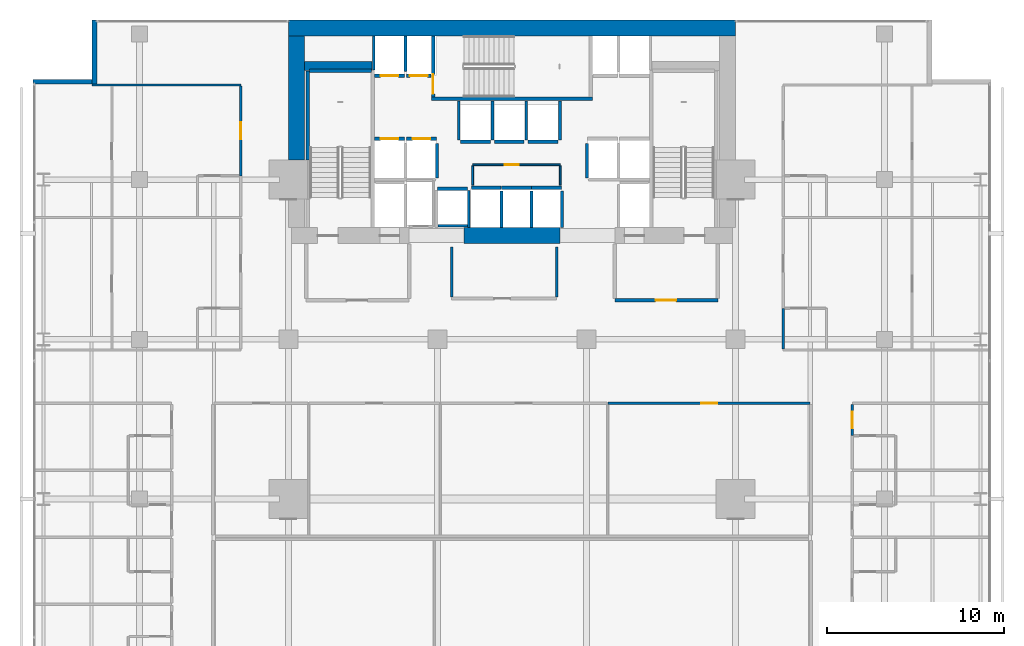
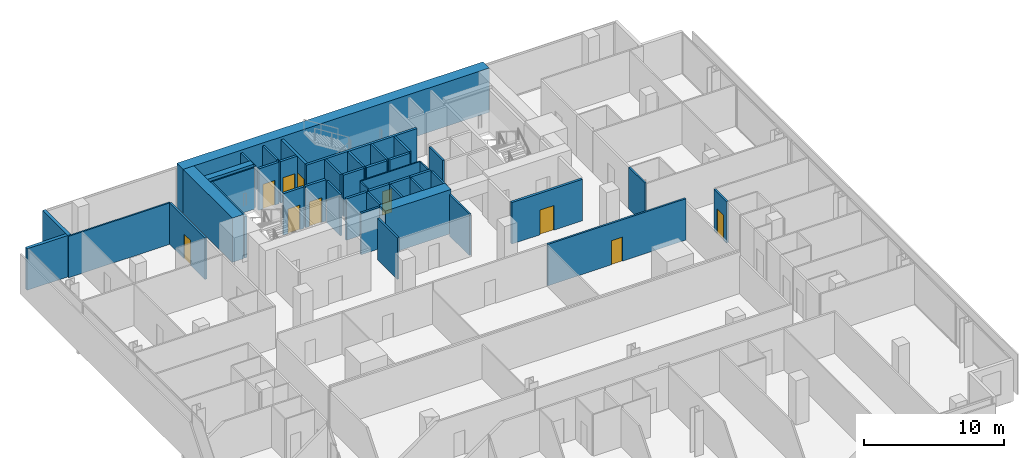
# One storey, part 36 of 40: 45 walls, 10 doors, 10 openings.
"""IFC4 building model written with IfcOpenShell, lengths in metres."""

from ifc_helpers import new_model, si_unit, direction, frame, frame_2d, origin, place, context, subcontext, project, spatial, rectangle, extrude, material, layer, layer_set, type_object, element, fill, save


model = new_model("IFC4")

# Units and contexts
model_context = context("Model", 3, precision=1e-05, world=origin(), true_north=direction((0.0, 1.0)))
body_context = subcontext(model_context, "Body", "Model", "MODEL_VIEW")
ifc_project = project(units=[si_unit("LENGTHUNIT", "METRE"), si_unit("AREAUNIT", "SQUARE_METRE"), si_unit("VOLUMEUNIT", "CUBIC_METRE"), si_unit("PLANEANGLEUNIT", "RADIAN"), si_unit("MASSUNIT", "GRAM", prefix="KILO")], contexts=[model_context])

# Site, building, storey
site_placement = place(None, origin())
site = spatial("IfcSite", under=ifc_project, at=site_placement, CompositionType="ELEMENT")
building_placement = place(site_placement, origin())
building = spatial("IfcBuilding", under=site, at=building_placement, Name="Maruvema Waterfront Hotel and Observation Tower", CompositionType="ELEMENT")
storey_placement = place(building_placement, frame((0.0, 0.0, 100.10009765625)))
storey = spatial("IfcBuildingStorey", under=building, at=storey_placement, Name="L24", CompositionType="ELEMENT", Elevation=100.10009765625)

# Walls
ifc_material_1 = material(Name="Twin-stud acoustic gypsum drywall", Category="gypsum")
ifc_layer_1 = layer(ifc_material_1, 0.14990234375, Name="Acoustic Corridor and Suite Demising Wall 150 mm")
ifc_layer_set_1 = layer_set([ifc_layer_1], Name="Twin-stud acoustic gypsum drywall")
wall_type_1 = type_object("IfcWallType", Name="Acoustic Corridor and Suite Demising Wall 150 mm", PredefinedType="PARTITIONING", material=ifc_layer_set_1)
for number, where, z_axis, x_axis, name in (
    (1, (34.39990234375, 38.3798828125, 0.0), (0.0, 0.0, 1.0), (0.0, 1.0, 0.0), "L24 Core Apron K0 West 014"),
    (2, (40.320068359375, 38.3798828125, 0.0), (0.0, 0.0, 1.0), (0.0, 1.0, 0.0), "L24 Core Apron K0 East 015"),
):
    element("IfcWall", number, at=place(storey_placement, frame(where, z_axis=z_axis, x_axis=x_axis)), inside=storey, type_object=wall_type_1, Name=name, PredefinedType="PARTITIONING", context=body_context, shape_type="SweptSolid", body=[
        extrude(rectangle(XDim=2.840087890625, YDim=0.14990234375, at=frame_2d((1.419921875, 0.0))), origin(), (0.0, 0.0, 1.0), 3.60986328125),
    ])

# Wall, opening, door
wall_1_placement = place(storey_placement, frame((43.221923828125, 32.39990234375, 0.0), z_axis=(0.0, 0.0, 1.0), x_axis=(1.0, 0.0, 0.0)))
wall_1 = element("IfcWall", 3, at=wall_1_placement, inside=storey, type_object=wall_type_1, Name="L24 L24-INTN Front 4 025", PredefinedType="PARTITIONING", context=body_context, shape_type="SweptSolid", body=[
    extrude(rectangle(XDim=11.3681640625, YDim=0.14990234375, at=frame_2d((5.68408203125, 0.0))), origin(), (0.0, 0.0, 1.0), 3.60986328125),
])
opening_1_placement = place(wall_1_placement, frame((5.23388671875, 0.0, 0.0)))
opening_1 = element("IfcOpeningElement", 4, at=opening_1_placement, cuts=wall_1, Name="Opening DR-090", PredefinedType="OPENING", context=body_context, shape_type="SweptSolid", body=[
    extrude(rectangle(XDim=0.89990234375, YDim=2.10009765625, at=frame_2d((0.449951171875, 1.050048828125))), frame((0.0, 0.0849609375, 0.0), z_axis=(0.0, -1.0, 0.0), x_axis=(1.0, 0.0, 0.0)), (0.0, 0.0, 1.0), 0.169921875),
])
ifc_material_2 = material(Name="Solid-core lacquered timber leaf", Category="wood")
door_type_1 = type_object("IfcDoorType", Name="Accessible Toilet and Room Door 900x2100 mm", OperationType="NOTDEFINED", PredefinedType="DOOR", material=ifc_material_2)
door_1_placement = place(opening_1_placement, origin())
door_1 = element("IfcDoor", 5, at=door_1_placement, inside=storey, type_object=door_type_1, Name="L24 Chef Pantry Kitchen 3 Door", OperationType="SINGLE_SWING_LEFT", OverallHeight=2.10009765625, OverallWidth=0.89990234375, PredefinedType="DOOR", context=body_context, shape_type="SweptSolid", body=[
    extrude(rectangle(XDim=0.89990234375, YDim=2.10009765625, at=frame_2d((0.449951171875, 1.050048828125))), frame((0.0, 0.02490234375, 0.0), z_axis=(0.0, -1.0, 0.0), x_axis=(1.0, 0.0, 0.0)), (0.0, 0.0, 1.0), 0.050048828125),
])
fill(opening_1, door_1)

wall_2_placement = place(storey_placement, frame((56.97998046875, 30.570068359375, 0.0), z_axis=(0.0, 0.0, 1.0), x_axis=(0.0, 1.0, 0.0)))
wall_2 = element("IfcWall", 6, at=wall_2_placement, inside=storey, type_object=wall_type_1, Name="L24 Room L24-E4 Corridor Wall 100", PredefinedType="PARTITIONING", context=body_context, shape_type="SweptSolid", body=[
    extrude(rectangle(XDim=1.77001953125, YDim=0.14990234375, at=frame_2d((0.885009765625, 0.0))), origin(), (0.0, 0.0, 1.0), 3.60986328125),
])
opening_2_placement = place(wall_2_placement, frame((0.409912109375, 0.0, 0.0)))
opening_2 = element("IfcOpeningElement", 7, at=opening_2_placement, cuts=wall_2, Name="Opening DR-095", PredefinedType="OPENING", context=body_context, shape_type="SweptSolid", body=[
    extrude(rectangle(XDim=0.949951171875, YDim=2.14990234375, at=frame_2d((0.47509765625, 1.074951171875))), frame((0.0, 0.0849609375, 0.0), z_axis=(0.0, -1.0, 0.0), x_axis=(1.0, 0.0, 0.0)), (0.0, 0.0, 1.0), 0.169921875),
])
ifc_material_3 = material(Name="Acoustic solid-core hardwood timber leaf", Category="wood")
door_type_2 = type_object("IfcDoorType", Name="Guestroom Entrance Fire Door 950x2150 mm", OperationType="NOTDEFINED", PredefinedType="DOOR", material=ifc_material_3)
door_2_placement = place(opening_2_placement, frame((0.949951171875, 0.0, 0.0), z_axis=(0.0, 0.0, 1.0), x_axis=(-1.0, 0.0, 0.0)))
door_2 = element("IfcDoor", 8, at=door_2_placement, inside=storey, type_object=door_type_2, Name="L24 Room L24-E4 Entrance Door", OperationType="SINGLE_SWING_LEFT", OverallHeight=2.14990234375, OverallWidth=0.949951171875, PredefinedType="DOOR", context=body_context, shape_type="SweptSolid", body=[
    extrude(rectangle(XDim=0.949951171875, YDim=2.14990234375, at=frame_2d((0.47509765625, 1.074951171875))), frame((0.0, 0.02490234375, 0.0), z_axis=(0.0, -1.0, 0.0), x_axis=(1.0, 0.0, 0.0)), (0.0, 0.0, 1.0), 0.050048828125),
])
fill(opening_2, door_2)

# Wall
wall_3_placement = place(storey_placement, frame((53.080078125, 35.4599609375, 0.0), z_axis=(0.0, 0.0, 1.0), x_axis=(0.0, 1.0, 0.0)))
element("IfcWall", 9, at=wall_3_placement, inside=storey, type_object=wall_type_1, Name="L24 Bath L24-NE1 Wall 112", PredefinedType="PARTITIONING", context=body_context, shape_type="SweptSolid", body=[
    extrude(rectangle(XDim=2.2900390625, YDim=0.14990234375, at=frame_2d((1.14501953125, 0.0))), origin(), (0.0, 0.0, 1.0), 3.60986328125),
])

# Wall, opening, door
wall_4_placement = place(storey_placement, frame((22.52001953125, 45.21875, 0.0), z_axis=(0.0, 0.0, 1.0), x_axis=(0.0, 1.0, 0.0)))
wall_4 = element("IfcWall", 10, at=wall_4_placement, inside=storey, type_object=wall_type_1, Name="L24 Room L24-NW2 Corridor Wall 120", PredefinedType="PARTITIONING", context=body_context, shape_type="SweptSolid", body=[
    extrude(rectangle(XDim=5.058837890625, YDim=0.14990234375, at=frame_2d((2.529296875, 0.0))), origin(), (0.0, 0.0, 1.0), 3.60986328125),
])
opening_3_placement = place(wall_4_placement, frame((2.054443359375, 0.0, 0.0)))
opening_3 = element("IfcOpeningElement", 11, at=opening_3_placement, cuts=wall_4, Name="Opening DR-095", PredefinedType="OPENING", context=body_context, shape_type="SweptSolid", body=[
    extrude(rectangle(XDim=0.949951171875, YDim=2.14990234375, at=frame_2d((0.47509765625, 1.074951171875))), frame((0.0, 0.0849609375, 0.0), z_axis=(0.0, -1.0, 0.0), x_axis=(1.0, 0.0, 0.0)), (0.0, 0.0, 1.0), 0.169921875),
])
door_3_placement = place(opening_3_placement, origin())
door_3 = element("IfcDoor", 12, at=door_3_placement, inside=storey, type_object=door_type_2, Name="L24 Room L24-NW2 Entrance Door", OperationType="SINGLE_SWING_LEFT", OverallHeight=2.14990234375, OverallWidth=0.949951171875, PredefinedType="DOOR", context=body_context, shape_type="SweptSolid", body=[
    extrude(rectangle(XDim=0.949951171875, YDim=2.14990234375, at=frame_2d((0.47509765625, 1.074951171875))), frame((0.0, 0.02490234375, 0.0), z_axis=(0.0, -1.0, 0.0), x_axis=(1.0, 0.0, 0.0)), (0.0, 0.0, 1.0), 0.050048828125),
])
fill(opening_3, door_3)

# Walls
ifc_material_4 = material(Name="Precast concrete C45/55", Category="concrete")
ifc_layer_2 = layer(ifc_material_4, 0.199951171875, Name="Core Shaft and Stairwell Enclosure Wall 200 mm")
ifc_layer_set_2 = layer_set([ifc_layer_2], Name="Precast concrete C45/55")
wall_type_2 = type_object("IfcWallType", Name="Core Shaft and Stairwell Enclosure Wall 200 mm", PredefinedType="SOLIDWALL", material=ifc_layer_set_2)
wall_5_placement = place(storey_placement, frame((26.300048828125, 46.1201171875, 0.0), z_axis=(0.0, 0.0, 1.0), x_axis=(0.0, 1.0, 0.0)))
element("IfcWall", 13, at=wall_5_placement, inside=storey, type_object=wall_type_2, Name="L24 Stairwell ST-01 Shaft Lining Wall", PredefinedType="SOLIDWALL", context=body_context, shape_type="SweptSolid", body=[
    extrude(rectangle(XDim=5.0, YDim=0.199951171875, at=frame_2d((2.5, 0.0))), origin(), (0.0, 0.0, 1.0), 3.60986328125),
])
wall_6_placement = place(storey_placement, frame((26.3798828125, 51.14990234375, 0.0), z_axis=(0.0, 0.0, 1.0), x_axis=(1.0, 0.0, 0.0)))
element("IfcWall", 14, at=wall_6_placement, inside=storey, type_object=wall_type_2, Name="L24 Stairwell ST-01 Shaft Lining Wall", PredefinedType="SOLIDWALL", context=body_context, shape_type="SweptSolid", body=[
    extrude(rectangle(XDim=3.5, YDim=0.199951171875, at=frame_2d((1.75, 0.0))), origin(), (0.0, 0.0, 1.0), 3.60986328125),
])
wall_7_placement = place(storey_placement, frame((33.25, 49.550048828125, 0.0), z_axis=(0.0, 0.0, 1.0), x_axis=(1.0, 0.0, 0.0)))
element("IfcWall", 15, at=wall_7_placement, inside=storey, type_object=wall_type_2, Name="L24 Stairwell ST-02 Shaft Wall", PredefinedType="SOLIDWALL", context=body_context, shape_type="SweptSolid", body=[
    extrude(rectangle(XDim=9.10009765625, YDim=0.199951171875, at=frame_2d((4.550048828125, 0.0))), origin(), (0.0, 0.0, 1.0), 3.60986328125),
])

# Wall, opening, door
wall_8_placement = place(storey_placement, frame((33.35009765625, 49.64990234375, 0.0), z_axis=(0.0, 0.0, 1.0), x_axis=(0.0, 1.0, 0.0)))
wall_8 = element("IfcWall", 16, at=wall_8_placement, inside=storey, type_object=wall_type_2, Name="L24 Stairwell ST-02 Shaft Wall", PredefinedType="SOLIDWALL", context=body_context, shape_type="SweptSolid", body=[
    extrude(rectangle(XDim=3.4501953125, YDim=0.199951171875, at=frame_2d((1.72509765625, 0.0))), origin(), (0.0, 0.0, 1.0), 3.60986328125),
])
opening_4_placement = place(wall_8_placement, frame((0.179931640625, 0.0, 0.0)))
opening_4 = element("IfcOpeningElement", 17, at=opening_4_placement, cuts=wall_8, Name="Opening SD-02", PredefinedType="OPENING", context=body_context, shape_type="SweptSolid", body=[
    extrude(rectangle(XDim=1.10009765625, YDim=2.14990234375, at=frame_2d((0.550048828125, 1.074951171875))), frame((0.0, 0.10986328125, 0.0), z_axis=(0.0, -1.0, 0.0), x_axis=(1.0, 0.0, 0.0)), (0.0, 0.0, 1.0), 0.219970703125),
])
ifc_material_5 = material(Name="Fire-rated galvanised steel leaf", Category="steel")
door_type_3 = type_object("IfcDoorType", Name="Central Exit Stair Fire Door 1100x2150 mm", OperationType="NOTDEFINED", PredefinedType="DOOR", material=ifc_material_5)
door_4_placement = place(opening_4_placement, frame((1.10009765625, 0.0, 0.0), z_axis=(0.0, 0.0, 1.0), x_axis=(-1.0, 0.0, 0.0)))
door_4 = element("IfcDoor", 18, at=door_4_placement, inside=storey, type_object=door_type_3, Name="L24 Exit Stair ST-02 Fire Door", OperationType="SINGLE_SWING_LEFT", OverallHeight=2.14990234375, OverallWidth=1.10009765625, PredefinedType="DOOR", context=body_context, shape_type="SweptSolid", body=[
    extrude(rectangle(XDim=1.10009765625, YDim=2.14990234375, at=frame_2d((0.550048828125, 1.074951171875))), frame((0.0, 0.02490234375, 0.0), z_axis=(0.0, -1.0, 0.0), x_axis=(1.0, 0.0, 0.0)), (0.0, 0.0, 1.0), 0.050048828125),
])
fill(opening_4, door_4)

wall_9_placement = place(storey_placement, frame((30.06005859375, 47.300048828125, 0.0), z_axis=(0.0, 0.0, 1.0), x_axis=(1.0, 0.0, 0.0)))
wall_9 = element("IfcWall", 19, at=wall_9_placement, inside=storey, type_object=wall_type_2, Name="L24 Lift LF-01 Hoistway Front Wall", PredefinedType="SOLIDWALL", context=body_context, shape_type="SweptSolid", body=[
    extrude(rectangle(XDim=1.679931640625, YDim=0.199951171875, at=frame_2d((0.83984375, 0.0))), origin(), (0.0, 0.0, 1.0), 3.60986328125),
])
opening_5_placement = place(wall_9_placement, frame((0.340087890625, 0.0, 0.0)))
opening_5 = element("IfcOpeningElement", 20, at=opening_5_placement, cuts=wall_9, Name="Opening LD-01", PredefinedType="OPENING", context=body_context, shape_type="SweptSolid", body=[
    extrude(rectangle(XDim=1.0, YDim=2.14990234375, at=frame_2d((0.5, 1.074951171875))), frame((0.0, 0.10986328125, 0.0), z_axis=(0.0, -1.0, 0.0), x_axis=(1.0, 0.0, 0.0)), (0.0, 0.0, 1.0), 0.219970703125),
])
ifc_material_6 = material(Name="Brushed stainless steel Grade 316", Category="steel")
door_type_4 = type_object("IfcDoorType", Name="Passenger Lift Sliding Landing Door 1000x2150 mm", OperationType="SLIDING_TO_LEFT", PredefinedType="DOOR", material=ifc_material_6)
door_5_placement = place(opening_5_placement, origin())
door_5 = element("IfcDoor", 21, at=door_5_placement, inside=storey, type_object=door_type_4, Name="L24 Lift LF-01 Sliding Landing Door", OperationType="SLIDING_TO_LEFT", OverallHeight=2.14990234375, OverallWidth=1.0, PredefinedType="DOOR", context=body_context, shape_type="SweptSolid", body=[
    extrude(rectangle(XDim=1.0, YDim=2.14990234375, at=frame_2d((0.5, 1.074951171875))), frame((0.0, 0.02490234375, 0.0), z_axis=(0.0, -1.0, 0.0), x_axis=(1.0, 0.0, 0.0)), (0.0, 0.0, 1.0), 0.050048828125),
])
fill(opening_5, door_5)

wall_10_placement = place(storey_placement, frame((31.860107421875, 47.300048828125, 0.0), z_axis=(0.0, 0.0, 1.0), x_axis=(1.0, 0.0, 0.0)))
wall_10 = element("IfcWall", 22, at=wall_10_placement, inside=storey, type_object=wall_type_2, Name="L24 Lift LF-02 Hoistway Front Wall", PredefinedType="SOLIDWALL", context=body_context, shape_type="SweptSolid", body=[
    extrude(rectangle(XDim=1.679931640625, YDim=0.199951171875, at=frame_2d((0.83984375, 0.0))), origin(), (0.0, 0.0, 1.0), 3.60986328125),
])
opening_6_placement = place(wall_10_placement, frame((0.340087890625, 0.0, 0.0)))
opening_6 = element("IfcOpeningElement", 23, at=opening_6_placement, cuts=wall_10, Name="Opening LD-01", PredefinedType="OPENING", context=body_context, shape_type="SweptSolid", body=[
    extrude(rectangle(XDim=1.0, YDim=2.14990234375, at=frame_2d((0.5, 1.074951171875))), frame((0.0, 0.10986328125, 0.0), z_axis=(0.0, -1.0, 0.0), x_axis=(1.0, 0.0, 0.0)), (0.0, 0.0, 1.0), 0.219970703125),
])
door_6_placement = place(opening_6_placement, origin())
door_6 = element("IfcDoor", 24, at=door_6_placement, inside=storey, type_object=door_type_4, Name="L24 Lift LF-02 Sliding Landing Door", OperationType="SLIDING_TO_LEFT", OverallHeight=2.14990234375, OverallWidth=1.0, PredefinedType="DOOR", context=body_context, shape_type="SweptSolid", body=[
    extrude(rectangle(XDim=1.0, YDim=2.14990234375, at=frame_2d((0.5, 1.074951171875))), frame((0.0, 0.02490234375, 0.0), z_axis=(0.0, -1.0, 0.0), x_axis=(1.0, 0.0, 0.0)), (0.0, 0.0, 1.0), 0.050048828125),
])
fill(opening_6, door_6)

wall_11_placement = place(storey_placement, frame((30.06005859375, 50.85009765625, 0.0), z_axis=(0.0, 0.0, 1.0), x_axis=(1.0, 0.0, 0.0)))
wall_11 = element("IfcWall", 25, at=wall_11_placement, inside=storey, type_object=wall_type_2, Name="L24 Lift LF-03 Hoistway Front Wall", PredefinedType="SOLIDWALL", context=body_context, shape_type="SweptSolid", body=[
    extrude(rectangle(XDim=1.679931640625, YDim=0.199951171875, at=frame_2d((0.83984375, 0.0))), origin(), (0.0, 0.0, 1.0), 3.60986328125),
])
opening_7_placement = place(wall_11_placement, frame((0.340087890625, 0.0, 0.0)))
opening_7 = element("IfcOpeningElement", 26, at=opening_7_placement, cuts=wall_11, Name="Opening LD-01", PredefinedType="OPENING", context=body_context, shape_type="SweptSolid", body=[
    extrude(rectangle(XDim=1.0, YDim=2.14990234375, at=frame_2d((0.5, 1.074951171875))), frame((0.0, 0.10986328125, 0.0), z_axis=(0.0, -1.0, 0.0), x_axis=(1.0, 0.0, 0.0)), (0.0, 0.0, 1.0), 0.219970703125),
])
door_7_placement = place(opening_7_placement, frame((1.0, 0.0, 0.0), z_axis=(0.0, 0.0, 1.0), x_axis=(-1.0, 0.0, 0.0)))
door_7 = element("IfcDoor", 27, at=door_7_placement, inside=storey, type_object=door_type_4, Name="L24 Lift LF-03 Sliding Landing Door", OperationType="SLIDING_TO_LEFT", OverallHeight=2.14990234375, OverallWidth=1.0, PredefinedType="DOOR", context=body_context, shape_type="SweptSolid", body=[
    extrude(rectangle(XDim=1.0, YDim=2.14990234375, at=frame_2d((0.5, 1.074951171875))), frame((0.0, 0.02490234375, 0.0), z_axis=(0.0, -1.0, 0.0), x_axis=(1.0, 0.0, 0.0)), (0.0, 0.0, 1.0), 0.050048828125),
])
fill(opening_7, door_7)

wall_12_placement = place(storey_placement, frame((31.860107421875, 50.85009765625, 0.0), z_axis=(0.0, 0.0, 1.0), x_axis=(1.0, 0.0, 0.0)))
wall_12 = element("IfcWall", 28, at=wall_12_placement, inside=storey, type_object=wall_type_2, Name="L24 Lift LF-04 Hoistway Front Wall", PredefinedType="SOLIDWALL", context=body_context, shape_type="SweptSolid", body=[
    extrude(rectangle(XDim=1.3798828125, YDim=0.199951171875, at=frame_2d((0.68994140625, 0.0))), origin(), (0.0, 0.0, 1.0), 3.60986328125),
])
opening_8_placement = place(wall_12_placement, frame((0.18994140625, 0.0, 0.0)))
opening_8 = element("IfcOpeningElement", 29, at=opening_8_placement, cuts=wall_12, Name="Opening LD-01", PredefinedType="OPENING", context=body_context, shape_type="SweptSolid", body=[
    extrude(rectangle(XDim=1.0, YDim=2.14990234375, at=frame_2d((0.5, 1.074951171875))), frame((0.0, 0.10986328125, 0.0), z_axis=(0.0, -1.0, 0.0), x_axis=(1.0, 0.0, 0.0)), (0.0, 0.0, 1.0), 0.219970703125),
])
door_8_placement = place(opening_8_placement, frame((1.0, 0.0, 0.0), z_axis=(0.0, 0.0, 1.0), x_axis=(-1.0, 0.0, 0.0)))
door_8 = element("IfcDoor", 30, at=door_8_placement, inside=storey, type_object=door_type_4, Name="L24 Lift LF-04 Sliding Landing Door", OperationType="SLIDING_TO_LEFT", OverallHeight=2.14990234375, OverallWidth=1.0, PredefinedType="DOOR", context=body_context, shape_type="SweptSolid", body=[
    extrude(rectangle(XDim=1.0, YDim=2.14990234375, at=frame_2d((0.5, 1.074951171875))), frame((0.0, 0.02490234375, 0.0), z_axis=(0.0, -1.0, 0.0), x_axis=(1.0, 0.0, 0.0)), (0.0, 0.0, 1.0), 0.050048828125),
])
fill(opening_8, door_8)

# Walls
for number, where, z_axis, x_axis, name in (
    (31, (35.510009765625, 44.550048828125, 0.0), (0.0, 0.0, 1.0), (1.0, 0.0, 0.0), "L24 Lift LF-09 Hoistway Front Wall"),
    (32, (37.2099609375, 44.550048828125, 0.0), (0.0, 0.0, 1.0), (1.0, 0.0, 0.0), "L24 Lift LF-10 Hoistway Front Wall"),
):
    element("IfcWall", number, at=place(storey_placement, frame(where, z_axis=z_axis, x_axis=x_axis)), inside=storey, type_object=wall_type_2, Name=name, PredefinedType="SOLIDWALL", context=body_context, shape_type="SweptSolid", body=[
        extrude(rectangle(XDim=1.679931640625, YDim=0.199951171875, at=frame_2d((0.83984375, 0.0))), origin(), (0.0, 0.0, 1.0), 3.60986328125),
    ])
for number, where, z_axis, x_axis, name in (
    (33, (38.909912109375, 44.550048828125, 0.0), (0.0, 0.0, 1.0), (1.0, 0.0, 0.0), "L24 Lift LF-11 Hoistway Front Wall"),
    (34, (34.909912109375, 47.14990234375, 0.0), (0.0, 0.0, 1.0), (1.0, 0.0, 0.0), "L24 Lift LF-12 Hoistway Front Wall"),
):
    element("IfcWall", number, at=place(storey_placement, frame(where, z_axis=z_axis, x_axis=x_axis)), inside=storey, type_object=wall_type_2, Name=name, PredefinedType="SOLIDWALL", context=body_context, shape_type="SweptSolid", body=[
        extrude(rectangle(XDim=1.68017578125, YDim=0.199951171875, at=frame_2d((0.840087890625, 0.0))), origin(), (0.0, 0.0, 1.0), 3.60986328125),
    ])
for number, where, z_axis, x_axis, name in (
    (35, (36.81005859375, 47.14990234375, 0.0), (0.0, 0.0, 1.0), (1.0, 0.0, 0.0), "L24 Lift LF-13 Hoistway Front Wall"),
    (36, (38.7099609375, 47.14990234375, 0.0), (0.0, 0.0, 1.0), (1.0, 0.0, 0.0), "L24 Lift LF-14 Hoistway Front Wall"),
    (37, (33.610107421875, 44.5, 0.0), (0.0, 0.0, 1.0), (1.0, 0.0, 0.0), "L24 Lift LF-15 Hoistway Front Wall"),
):
    element("IfcWall", number, at=place(storey_placement, frame(where, z_axis=z_axis, x_axis=x_axis)), inside=storey, type_object=wall_type_2, Name=name, PredefinedType="SOLIDWALL", context=body_context, shape_type="SweptSolid", body=[
        extrude(rectangle(XDim=1.679931640625, YDim=0.199951171875, at=frame_2d((0.83984375, 0.0))), origin(), (0.0, 0.0, 1.0), 3.60986328125),
    ])
ifc_material_7 = material(Name="Concrete C70/85", Category="concrete")
ifc_layer_3 = layer(ifc_material_7, 0.5, Name="Core Shear Wall 500 mm")
ifc_layer_set_3 = layer_set([ifc_layer_3], Name="Concrete C70/85")
wall_type_3 = type_object("IfcWallType", Name="Core Shear Wall 500 mm", PredefinedType="SHEAR", material=ifc_layer_set_3)
wall_13_placement = place(storey_placement, frame((26.10009765625, 51.39990234375, 0.0), z_axis=(0.0, 0.0, 1.0), x_axis=(1.0, 0.0, 0.0)))
element("IfcWall", 38, at=wall_13_placement, inside=storey, type_object=wall_type_3, Name="L24 Internal Core Shear Wall NW 500 mm", PredefinedType="SHEAR", context=body_context, shape_type="SweptSolid", body=[
    extrude(rectangle(XDim=3.7998046875, YDim=0.5, at=frame_2d((1.89990234375, 0.0))), origin(), (0.0, 0.0, 1.0), 3.849853515625),
])
ifc_material_8 = material(Name="Concrete C80/95", Category="concrete")
ifc_layer_4 = layer(ifc_material_8, 0.89990234375, Name="Core Shear Wall 900 mm")
ifc_layer_set_4 = layer_set([ifc_layer_4], Name="Concrete C80/95")
wall_type_4 = type_object("IfcWallType", Name="Core Shear Wall 900 mm", PredefinedType="SHEAR", material=ifc_layer_set_4)
wall_14_placement = place(storey_placement, frame((25.199951171875, 53.550048828125, 0.0), z_axis=(0.0, 0.0, 1.0), x_axis=(1.0, 0.0, 0.0)))
element("IfcWall", 39, at=wall_14_placement, inside=storey, type_object=wall_type_4, Name="L24 North Core Shear Wall", PredefinedType="SHEAR", context=body_context, shape_type="SweptSolid", body=[
    extrude(rectangle(XDim=25.199951171875, YDim=0.89990234375, at=frame_2d((12.60009765625, 0.0))), origin(), (0.0, 0.0, 1.0), 3.849853515625),
])
wall_15_placement = place(storey_placement, frame((35.10009765625, 41.85009765625, 0.0), z_axis=(0.0, 0.0, 1.0), x_axis=(1.0, 0.0, 0.0)))
element("IfcWall", 40, at=wall_15_placement, inside=storey, type_object=wall_type_4, Name="L24 South-Central Core Shear Wall", PredefinedType="SHEAR", context=body_context, shape_type="SweptSolid", body=[
    extrude(rectangle(XDim=5.39990234375, YDim=0.89990234375, at=frame_2d((2.699951171875, 0.0))), origin(), (0.0, 0.0, 1.0), 3.849853515625),
])
wall_16_placement = place(storey_placement, frame((25.64990234375, 46.10009765625, 0.0), z_axis=(0.0, 0.0, 1.0), x_axis=(0.0, 1.0, 0.0)))
element("IfcWall", 41, at=wall_16_placement, inside=storey, type_object=wall_type_4, Name="L24 West-North Core Shear Wall", PredefinedType="SHEAR", context=body_context, shape_type="SweptSolid", body=[
    extrude(rectangle(XDim=7.0, YDim=0.89990234375, at=frame_2d((3.5, 0.0))), origin(), (0.0, 0.0, 1.0), 3.849853515625),
])

# Wall, opening, door
ifc_material_9 = material(Name="Moisture-resistant cement-board drywall", Category="gypsum")
ifc_layer_5 = layer(ifc_material_9, 0.10009765625, Name="En-Suite Moisture-Resistant Partition 100 mm")
ifc_layer_set_5 = layer_set([ifc_layer_5], Name="Moisture-resistant cement-board drywall")
wall_type_5 = type_object("IfcWallType", Name="En-Suite Moisture-Resistant Partition 100 mm", PredefinedType="PARTITIONING", material=ifc_layer_set_5)
wall_17_placement = place(storey_placement, frame((35.580078125, 45.840087890625, 0.0), z_axis=(0.0, 0.0, 1.0), x_axis=(1.0, 0.0, 0.0)))
wall_17 = element("IfcWall", 42, at=wall_17_placement, inside=storey, type_object=wall_type_5, Name="L24 Core Closet K0 North 010", PredefinedType="PARTITIONING", context=body_context, shape_type="SweptSolid", body=[
    extrude(rectangle(XDim=4.93994140625, YDim=0.10009765625, at=frame_2d((2.469970703125, 0.0))), origin(), (0.0, 0.0, 1.0), 3.60986328125),
])
opening_9_placement = place(wall_17_placement, frame((1.800048828125, 0.0, 0.0)))
opening_9 = element("IfcOpeningElement", 43, at=opening_9_placement, cuts=wall_17, Name="Opening DR-080", PredefinedType="OPENING", context=body_context, shape_type="SweptSolid", body=[
    extrude(rectangle(XDim=0.800048828125, YDim=2.050048828125, at=frame_2d((0.39990234375, 1.02490234375))), frame((0.0, 0.06005859375, 0.0), z_axis=(0.0, -1.0, 0.0), x_axis=(1.0, 0.0, 0.0)), (0.0, 0.0, 1.0), 0.1201171875),
])
ifc_material_10 = material(Name="Powder-coated steel access leaf", Category="steel")
door_type_5 = type_object("IfcDoorType", Name="Riser and Service Cupboard Door 800x2050 mm", OperationType="NOTDEFINED", PredefinedType="DOOR", material=ifc_material_10)
door_9_placement = place(opening_9_placement, origin())
door_9 = element("IfcDoor", 44, at=door_9_placement, inside=storey, type_object=door_type_5, Name="L24 Core Electrical Closet Door", OperationType="SINGLE_SWING_RIGHT", OverallHeight=2.050048828125, OverallWidth=0.800048828125, PredefinedType="DOOR", context=body_context, shape_type="SweptSolid", body=[
    extrude(rectangle(XDim=0.800048828125, YDim=2.050048828125, at=frame_2d((0.39990234375, 1.02490234375))), frame((0.0, 0.02490234375, 0.0), z_axis=(0.0, -1.0, 0.0), x_axis=(1.0, 0.0, 0.0)), (0.0, 0.0, 1.0), 0.050048828125),
])
fill(opening_9, door_9)

# Walls
for number, where, z_axis, x_axis, name in (
    (45, (35.580078125, 44.699951171875, 0.0), (0.0, 0.0, 1.0), (0.0, 1.0, 0.0), "L24 Core Closet K0 West 011"),
    (46, (40.52001953125, 44.699951171875, 0.0), (0.0, 0.0, 1.0), (0.0, 1.0, 0.0), "L24 Core Closet K0 East 012"),
):
    element("IfcWall", number, at=place(storey_placement, frame(where, z_axis=z_axis, x_axis=x_axis)), inside=storey, type_object=wall_type_5, Name=name, PredefinedType="PARTITIONING", context=body_context, shape_type="SweptSolid", body=[
        extrude(rectangle(XDim=1.080078125, YDim=0.10009765625, at=frame_2d((0.5400390625, 0.0))), origin(), (0.0, 0.0, 1.0), 3.60986328125),
    ])
ifc_material_11 = material(Name="Precast concrete C45/55 with honed Pernambuco granite facing", Category="masonry")
ifc_layer_6 = layer(ifc_material_11, 0.260009765625, Name="Exterior Granite Clad Spandrel and Pier Wall 260 mm")
ifc_layer_set_6 = layer_set([ifc_layer_6], Name="Precast concrete C45/55 with honed Pernambuco granite facing")
wall_type_6 = type_object("IfcWallType", Name="Exterior Granite Clad Spandrel and Pier Wall 260 mm", PredefinedType="SOLIDWALL", material=ifc_layer_set_6)
wall_18_placement = place(storey_placement, frame((14.27001953125, 50.39990234375, 0.0), z_axis=(0.0, 0.0, 1.0), x_axis=(0.0, 1.0, 0.0)))
element("IfcWall", 47, at=wall_18_placement, inside=storey, type_object=wall_type_6, Name="L24 Corner Notch Granite Pier Wall NW1", PredefinedType="SOLIDWALL", context=body_context, shape_type="SweptSolid", body=[
    extrude(rectangle(XDim=3.60009765625, YDim=0.260009765625, at=frame_2d((1.800048828125, 0.0))), origin(), (0.0, 0.0, 1.0), 3.60986328125),
])
wall_19_placement = place(storey_placement, frame((10.800048828125, 50.530029296875, 0.0), z_axis=(0.0, 0.0, 1.0), x_axis=(1.0, 0.0, 0.0)))
element("IfcWall", 48, at=wall_19_placement, inside=storey, type_object=wall_type_6, Name="L24 Corner Notch Granite Pier Wall NW2", PredefinedType="SOLIDWALL", context=body_context, shape_type="SweptSolid", body=[
    extrude(rectangle(XDim=3.599853515625, YDim=0.260009765625, at=frame_2d((1.7998046875, 0.0))), origin(), (0.0, 0.0, 1.0), 3.60986328125),
])

# Wall, opening, door
ifc_material_12 = material(Name="Autoclaved cellular concrete blockwork", Category="masonry")
ifc_layer_7 = layer(ifc_material_12, 0.199951171875, Name="Fire Compartment Masonry Wall 200 mm")
ifc_layer_set_7 = layer_set([ifc_layer_7], Name="Autoclaved cellular concrete blockwork")
wall_type_7 = type_object("IfcWallType", Name="Fire Compartment Masonry Wall 200 mm", PredefinedType="PARTITIONING", material=ifc_layer_set_7)
wall_20_placement = place(storey_placement, frame((43.60009765625, 38.199951171875, 0.0), z_axis=(0.0, 0.0, 1.0), x_axis=(1.0, 0.0, 0.0)))
wall_20 = element("IfcWall", 49, at=wall_20_placement, inside=storey, type_object=wall_type_7, Name="L24 FFL East South Wall 004", PredefinedType="PARTITIONING", context=body_context, shape_type="SweptSolid", body=[
    extrude(rectangle(XDim=5.7998046875, YDim=0.199951171875, at=frame_2d((2.89990234375, 0.0))), origin(), (0.0, 0.0, 1.0), 3.60986328125),
])
opening_10_placement = place(wall_20_placement, frame((2.300048828125, 0.0, 0.0)))
opening_10 = element("IfcOpeningElement", 50, at=opening_10_placement, cuts=wall_20, Name="Opening FD-115", PredefinedType="OPENING", context=body_context, shape_type="SweptSolid", body=[
    extrude(rectangle(XDim=1.14990234375, YDim=2.14990234375, at=frame_2d((0.574951171875, 1.074951171875))), frame((0.0, 0.10986328125, 0.0), z_axis=(0.0, -1.0, 0.0), x_axis=(1.0, 0.0, 0.0)), (0.0, 0.0, 1.0), 0.219970703125),
])
ifc_material_13 = material(Name="Fire-rated galvanised steel and vision glass", Category="steel")
door_type_6 = type_object("IfcDoorType", Name="Firefighting Lobby Fire Door 1150x2150 mm", OperationType="NOTDEFINED", PredefinedType="DOOR", material=ifc_material_13)
door_10_placement = place(opening_10_placement, frame((1.14990234375, 0.0, 0.0), z_axis=(0.0, 0.0, 1.0), x_axis=(-1.0, 0.0, 0.0)))
door_10 = element("IfcDoor", 51, at=door_10_placement, inside=storey, type_object=door_type_6, Name="L24 Firefighting Lobby East Door", OperationType="SINGLE_SWING_RIGHT", OverallHeight=2.14990234375, OverallWidth=1.14990234375, PredefinedType="DOOR", context=body_context, shape_type="SweptSolid", body=[
    extrude(rectangle(XDim=1.14990234375, YDim=2.14990234375, at=frame_2d((0.574951171875, 1.074951171875))), frame((0.0, 0.02490234375, 0.0), z_axis=(0.0, -1.0, 0.0), x_axis=(1.0, 0.0, 0.0)), (0.0, 0.0, 1.0), 0.050048828125),
])
fill(opening_10, door_10)

# Walls
ifc_material_14 = material(Name="Acoustic gypsum plasterboard drywall", Category="gypsum")
ifc_layer_8 = layer(ifc_material_14, 0.125, Name="Guestroom Acoustic Demising Wall 125 mm")
ifc_layer_set_8 = layer_set([ifc_layer_8], Name="Acoustic gypsum plasterboard drywall")
wall_type_8 = type_object("IfcWallType", Name="Guestroom Acoustic Demising Wall 125 mm", PredefinedType="PARTITIONING", material=ifc_layer_set_8)
wall_21_placement = place(storey_placement, frame((14.139892578125, 50.33740234375, 0.0), z_axis=(0.0, 0.0, 1.0), x_axis=(1.0, 0.0, 0.0)))
element("IfcWall", 52, at=wall_21_placement, inside=storey, type_object=wall_type_8, Name="L24 NW Top End 105", PredefinedType="PARTITIONING", context=body_context, shape_type="SweptSolid", body=[
    extrude(rectangle(XDim=8.380126953125, YDim=0.125, at=frame_2d((4.18994140625, 0.0))), origin(), (0.0, 0.0, 1.0), 3.60986328125),
])
ifc_material_15 = material(Name="Precast concrete C45/55", Category="concrete")
ifc_layer_9 = layer(ifc_material_15, 0.159912109375, Name="Lift Hoistway Divider Wall 160 mm")
ifc_layer_set_9 = layer_set([ifc_layer_9], Name="Precast concrete C45/55")
wall_type_9 = type_object("IfcWallType", Name="Lift Hoistway Divider Wall 160 mm", PredefinedType="SOLIDWALL", material=ifc_layer_set_9)
wall_22_placement = place(storey_placement, frame((33.580078125, 45.10009765625, 0.0), z_axis=(0.0, 0.0, 1.0), x_axis=(0.0, 1.0, 0.0)))
element("IfcWall", 53, at=wall_22_placement, inside=storey, type_object=wall_type_9, Name="L24 Hoistway Divider Wall", PredefinedType="SOLIDWALL", context=body_context, shape_type="SweptSolid", body=[
    extrude(rectangle(XDim=1.949951171875, YDim=0.159912109375, at=frame_2d((0.97509765625, 0.0))), origin(), (0.0, 0.0, 1.0), 3.60986328125),
])
wall_23_placement = place(storey_placement, frame((30.010009765625, 51.179931640625, 0.0), z_axis=(0.0, 0.0, 1.0), x_axis=(0.0, 1.0, 0.0)))
element("IfcWall", 54, at=wall_23_placement, inside=storey, type_object=wall_type_9, Name="L24 Hoistway Divider Wall", PredefinedType="SOLIDWALL", context=body_context, shape_type="SweptSolid", body=[
    extrude(rectangle(XDim=1.920166015625, YDim=0.159912109375, at=frame_2d((0.9599609375, 0.0))), origin(), (0.0, 0.0, 1.0), 3.60986328125),
])
wall_24_placement = place(storey_placement, frame((31.800048828125, 51.10009765625, 0.0), z_axis=(0.0, 0.0, 1.0), x_axis=(0.0, 1.0, 0.0)))
element("IfcWall", 55, at=wall_24_placement, inside=storey, type_object=wall_type_9, Name="L24 Hoistway Divider Wall", PredefinedType="SOLIDWALL", context=body_context, shape_type="SweptSolid", body=[
    extrude(rectangle(XDim=2.0, YDim=0.159912109375, at=frame_2d((1.0, 0.0))), origin(), (0.0, 0.0, 1.0), 3.60986328125),
])
wall_25_placement = place(storey_placement, frame((42.02001953125, 45.10009765625, 0.0), z_axis=(0.0, 0.0, 1.0), x_axis=(0.0, 1.0, 0.0)))
element("IfcWall", 56, at=wall_25_placement, inside=storey, type_object=wall_type_9, Name="L24 Hoistway Divider Wall", PredefinedType="SOLIDWALL", context=body_context, shape_type="SweptSolid", body=[
    extrude(rectangle(XDim=1.949951171875, YDim=0.159912109375, at=frame_2d((0.97509765625, 0.0))), origin(), (0.0, 0.0, 1.0), 3.60986328125),
])
for number, where, z_axis, x_axis, name in (
    (57, (37.199951171875, 42.300048828125, 0.0), (0.0, 0.0, 1.0), (0.0, 1.0, 0.0), "L24 Hoistway Divider Wall"),
    (58, (38.89990234375, 42.300048828125, 0.0), (0.0, 0.0, 1.0), (0.0, 1.0, 0.0), "L24 Hoistway Divider Wall"),
    (59, (40.6201171875, 42.300048828125, 0.0), (0.0, 0.0, 1.0), (0.0, 1.0, 0.0), "L24 Hoistway Divider Wall"),
):
    element("IfcWall", number, at=place(storey_placement, frame(where, z_axis=z_axis, x_axis=x_axis)), inside=storey, type_object=wall_type_9, Name=name, PredefinedType="SOLIDWALL", context=body_context, shape_type="SweptSolid", body=[
        extrude(rectangle(XDim=2.050048828125, YDim=0.159912109375, at=frame_2d((1.02490234375, 0.0))), origin(), (0.0, 0.0, 1.0), 3.60986328125),
    ])
for number, where, z_axis, x_axis, name in (
    (60, (34.800048828125, 47.25, 0.0), (0.0, 0.0, 1.0), (0.0, 1.0, 0.0), "L24 Hoistway Divider Wall"),
    (61, (36.699951171875, 47.25, 0.0), (0.0, 0.0, 1.0), (0.0, 1.0, 0.0), "L24 Hoistway Divider Wall"),
    (62, (38.60009765625, 47.25, 0.0), (0.0, 0.0, 1.0), (0.0, 1.0, 0.0), "L24 Hoistway Divider Wall"),
    (63, (40.5, 47.25, 0.0), (0.0, 0.0, 1.0), (0.0, 1.0, 0.0), "L24 Hoistway Divider Wall"),
):
    element("IfcWall", number, at=place(storey_placement, frame(where, z_axis=z_axis, x_axis=x_axis)), inside=storey, type_object=wall_type_9, Name=name, PredefinedType="SOLIDWALL", context=body_context, shape_type="SweptSolid", body=[
        extrude(rectangle(XDim=2.18994140625, YDim=0.159912109375, at=frame_2d((1.094970703125, 0.0))), origin(), (0.0, 0.0, 1.0), 3.60986328125),
    ])
wall_26_placement = place(storey_placement, frame((35.360107421875, 42.300048828125, 0.0), z_axis=(0.0, 0.0, 1.0), x_axis=(0.0, 1.0, 0.0)))
element("IfcWall", 64, at=wall_26_placement, inside=storey, type_object=wall_type_9, Name="L24 Hoistway Divider Wall", PredefinedType="SOLIDWALL", context=body_context, shape_type="SweptSolid", body=[
    extrude(rectangle(XDim=2.099853515625, YDim=0.159912109375, at=frame_2d((1.0498046875, 0.0))), origin(), (0.0, 0.0, 1.0), 3.60986328125),
])
wall_27_placement = place(storey_placement, frame((33.6201171875, 42.39990234375, 0.0), z_axis=(0.0, 0.0, 1.0), x_axis=(1.0, 0.0, 0.0)))
element("IfcWall", 65, at=wall_27_placement, inside=storey, type_object=wall_type_9, Name="L24 Hoistway Divider Wall", PredefinedType="SOLIDWALL", context=body_context, shape_type="SweptSolid", body=[
    extrude(rectangle(XDim=1.659912109375, YDim=0.159912109375, at=frame_2d((0.830078125, 0.0))), origin(), (0.0, 0.0, 1.0), 3.60986328125),
])

save(model, "model.ifc")
